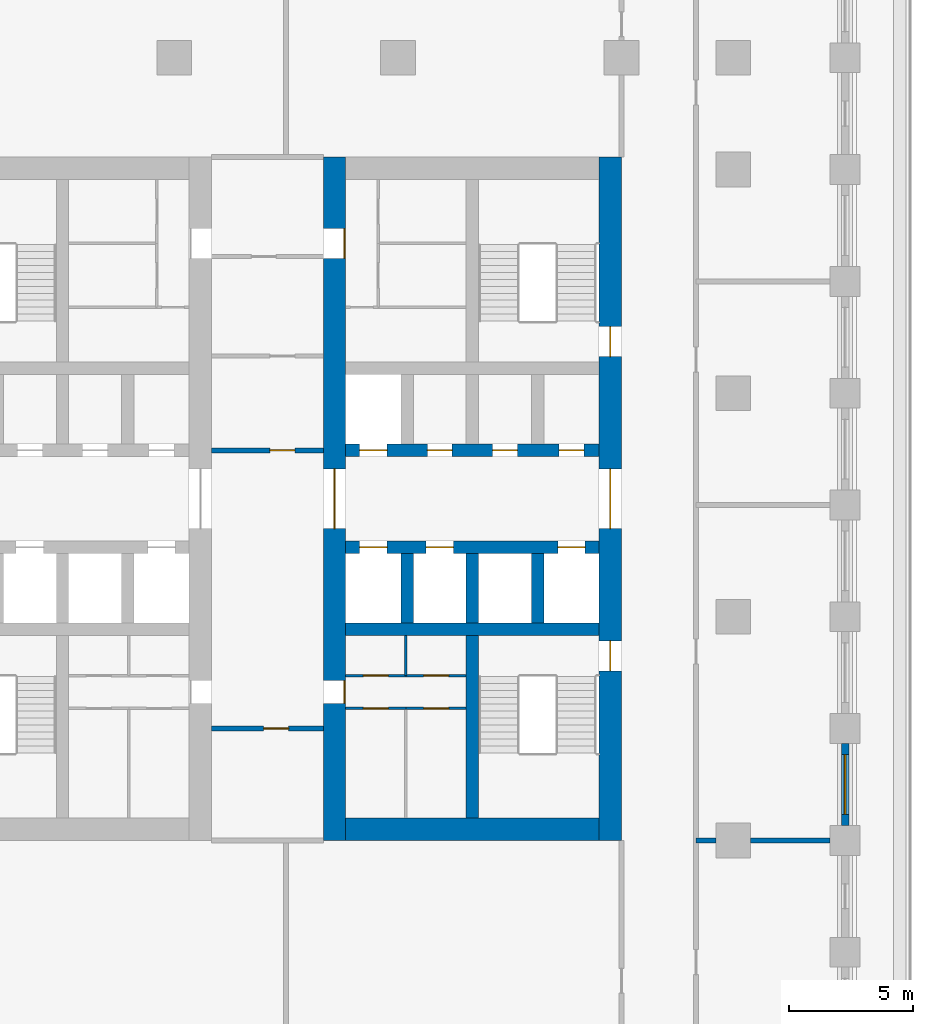
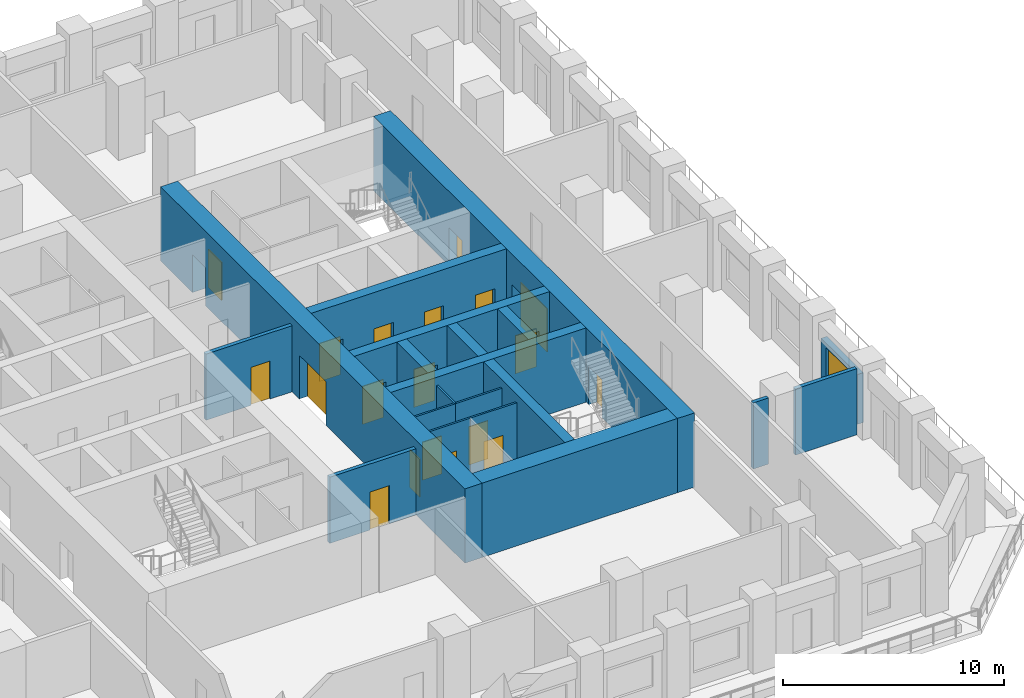
# One storey, part 5 of 16: 20 walls, 19 doors, 1 window, 20 openings.
"""IFC4 building model written with IfcOpenShell, lengths in metres."""

from ifc_helpers import new_model, si_unit, direction, frame, frame_2d, origin, place, context, subcontext, project, spatial, rectangle, extrude, material, layer, layer_set, type_object, element, fill, save


model = new_model("IFC4")

# Units and contexts
model_context = context("Model", 3, precision=1e-05, world=origin(), true_north=direction((0.0, 1.0)))
body_context = subcontext(model_context, "Body", "Model", "MODEL_VIEW")
ifc_project = project(units=[si_unit("LENGTHUNIT", "METRE"), si_unit("AREAUNIT", "SQUARE_METRE"), si_unit("VOLUMEUNIT", "CUBIC_METRE"), si_unit("PLANEANGLEUNIT", "RADIAN"), si_unit("MASSUNIT", "GRAM", prefix="KILO")], contexts=[model_context])

# Site, building, storey
site_placement = place(None, origin())
site = spatial("IfcSite", under=ifc_project, at=site_placement, CompositionType="ELEMENT")
building_placement = place(site_placement, origin())
building = spatial("IfcBuilding", under=site, at=building_placement, Name="Corbel Stack Research Tower", CompositionType="ELEMENT")
storey_placement = place(building_placement, frame((0.0, 0.0, 137.199951171875)))
storey = spatial("IfcBuildingStorey", under=building, at=storey_placement, Name="L31", CompositionType="ELEMENT", Elevation=137.199951171875)

# Wall
ifc_material_1 = material(Name="Concrete C70/85", Category="concrete")
ifc_layer_1 = layer(ifc_material_1, 0.5)
ifc_layer_set_1 = layer_set([ifc_layer_1], Name="Concrete C70/85")
wall_type_1 = type_object("IfcWallType", Name="CW-500-70", PredefinedType="SHEAR", material=ifc_layer_set_1)
wall_1_placement = place(storey_placement, frame((6.89990234375, -0.5, 0.0), z_axis=(0.0, 0.0, 1.0), x_axis=(1.0, 0.0, 0.0)))
element("IfcWall", 1, at=wall_1_placement, inside=storey, type_object=wall_type_1, Name="East core wall, south row back L31", PredefinedType="SHEAR", context=body_context, shape_type="SweptSolid", body=[
    extrude(rectangle(XDim=10.2001953125, YDim=0.5, at=frame_2d((5.10009765625, 0.0))), origin(), (0.0, 0.0, 1.0), 4.10009765625),
])

# Wall, openings, doors
wall_2_placement = place(storey_placement, frame((6.89990234375, 2.800048828125, 0.0), z_axis=(0.0, 0.0, 1.0), x_axis=(1.0, 0.0, 0.0)))
wall_2 = element("IfcWall", 2, at=wall_2_placement, inside=storey, type_object=wall_type_1, Name="East core wall, lobby south L31", PredefinedType="SHEAR", context=body_context, shape_type="SweptSolid", body=[
    extrude(rectangle(XDim=10.2001953125, YDim=0.5, at=frame_2d((5.10009765625, 0.0))), origin(), (0.0, 0.0, 1.0), 4.10009765625),
])
opening_1_placement = place(wall_2_placement, frame((0.5625, 0.0, 0.0)))
opening_1 = element("IfcOpeningElement", 3, at=opening_1_placement, cuts=wall_2, Name="Opening LD-FS2", PredefinedType="OPENING", context=body_context, shape_type="SweptSolid", body=[
    extrude(rectangle(XDim=1.10009765625, YDim=2.10009765625, at=frame_2d((0.550048828125, 1.050048828125))), frame((0.0, 0.260009765625, 0.0), z_axis=(0.0, -1.0, 0.0), x_axis=(1.0, 0.0, 0.0)), (0.0, 0.0, 1.0), 0.52001953125),
])
opening_2_placement = place(wall_2_placement, frame((3.237548828125, 0.0, 0.0)))
opening_2 = element("IfcOpeningElement", 4, at=opening_2_placement, cuts=wall_2, Name="Opening LD-GL2", PredefinedType="OPENING", context=body_context, shape_type="SweptSolid", body=[
    extrude(rectangle(XDim=1.10009765625, YDim=2.10009765625, at=frame_2d((0.550048828125, 1.050048828125))), frame((0.0, 0.260009765625, 0.0), z_axis=(0.0, -1.0, 0.0), x_axis=(1.0, 0.0, 0.0)), (0.0, 0.0, 1.0), 0.52001953125),
])
opening_3_placement = place(wall_2_placement, frame((8.53759765625, 0.0, 0.0)))
opening_3 = element("IfcOpeningElement", 5, at=opening_3_placement, cuts=wall_2, Name="Opening LD-LR3", PredefinedType="OPENING", context=body_context, shape_type="SweptSolid", body=[
    extrude(rectangle(XDim=1.10009765625, YDim=2.10009765625, at=frame_2d((0.550048828125, 1.050048828125))), frame((0.0, 0.260009765625, 0.0), z_axis=(0.0, -1.0, 0.0), x_axis=(1.0, 0.0, 0.0)), (0.0, 0.0, 1.0), 0.52001953125),
])
ifc_material_2 = material(Name="Stainless steel landing door", Category="steel")
door_type_1 = type_object("IfcDoorType", Name="Lift landing door 1100 x 2100", OperationType="DOUBLE_DOOR_SLIDING", PredefinedType="DOOR", material=ifc_material_2)
door_1_placement = place(opening_1_placement, origin())
door_1 = element("IfcDoor", 6, at=door_1_placement, inside=storey, type_object=door_type_1, Name="Landing door FS2", OperationType="DOUBLE_DOOR_SLIDING", OverallHeight=2.10009765625, OverallWidth=1.10009765625, PredefinedType="DOOR", context=body_context, shape_type="SweptSolid", body=[
    extrude(rectangle(XDim=1.10009765625, YDim=2.10009765625, at=frame_2d((0.550048828125, 1.050048828125))), frame((0.0, 0.02490234375, 0.0), z_axis=(0.0, -1.0, 0.0), x_axis=(1.0, 0.0, 0.0)), (0.0, 0.0, 1.0), 0.050048828125),
])
fill(opening_1, door_1)
door_2_placement = place(opening_2_placement, origin())
door_2 = element("IfcDoor", 7, at=door_2_placement, inside=storey, type_object=door_type_1, Name="Landing door GL2", OperationType="DOUBLE_DOOR_SLIDING", OverallHeight=2.10009765625, OverallWidth=1.10009765625, PredefinedType="DOOR", context=body_context, shape_type="SweptSolid", body=[
    extrude(rectangle(XDim=1.10009765625, YDim=2.10009765625, at=frame_2d((0.550048828125, 1.050048828125))), frame((0.0, 0.02490234375, 0.0), z_axis=(0.0, -1.0, 0.0), x_axis=(1.0, 0.0, 0.0)), (0.0, 0.0, 1.0), 0.050048828125),
])
fill(opening_2, door_2)
door_3_placement = place(opening_3_placement, origin())
door_3 = element("IfcDoor", 8, at=door_3_placement, inside=storey, type_object=door_type_1, Name="Landing door LR3", OperationType="DOUBLE_DOOR_SLIDING", OverallHeight=2.10009765625, OverallWidth=1.10009765625, PredefinedType="DOOR", context=body_context, shape_type="SweptSolid", body=[
    extrude(rectangle(XDim=1.10009765625, YDim=2.10009765625, at=frame_2d((0.550048828125, 1.050048828125))), frame((0.0, 0.02490234375, 0.0), z_axis=(0.0, -1.0, 0.0), x_axis=(1.0, 0.0, 0.0)), (0.0, 0.0, 1.0), 0.050048828125),
])
fill(opening_3, door_3)

wall_3_placement = place(storey_placement, frame((6.89990234375, 6.699951171875, 0.0), z_axis=(0.0, 0.0, 1.0), x_axis=(1.0, 0.0, 0.0)))
wall_3 = element("IfcWall", 9, at=wall_3_placement, inside=storey, type_object=wall_type_1, Name="East core wall, lobby north L31", PredefinedType="SHEAR", context=body_context, shape_type="SweptSolid", body=[
    extrude(rectangle(XDim=10.2001953125, YDim=0.5, at=frame_2d((5.10009765625, 0.0))), origin(), (0.0, 0.0, 1.0), 4.10009765625),
])
opening_4_placement = place(wall_3_placement, frame((0.5625, 0.0, 0.0)))
opening_4 = element("IfcOpeningElement", 10, at=opening_4_placement, cuts=wall_3, Name="Opening LD-LR4", PredefinedType="OPENING", context=body_context, shape_type="SweptSolid", body=[
    extrude(rectangle(XDim=1.10009765625, YDim=2.10009765625, at=frame_2d((0.550048828125, 1.050048828125))), frame((0.0, 0.260009765625, 0.0), z_axis=(0.0, -1.0, 0.0), x_axis=(1.0, 0.0, 0.0)), (0.0, 0.0, 1.0), 0.52001953125),
])
opening_5_placement = place(wall_3_placement, frame((3.28759765625, 0.0, 0.0)))
opening_5 = element("IfcOpeningElement", 11, at=opening_5_placement, cuts=wall_3, Name="Opening CR-E54-N2", PredefinedType="OPENING", context=body_context, shape_type="SweptSolid", body=[
    extrude(rectangle(XDim=1.0, YDim=2.10009765625, at=frame_2d((0.5, 1.050048828125))), frame((0.0, 0.260009765625, 0.0), z_axis=(0.0, -1.0, 0.0), x_axis=(1.0, 0.0, 0.0)), (0.0, 0.0, 1.0), 0.52001953125),
])
opening_6_placement = place(wall_3_placement, frame((5.91259765625, 0.0, 0.0)))
opening_6 = element("IfcOpeningElement", 12, at=opening_6_placement, cuts=wall_3, Name="Opening CR-E54-N3", PredefinedType="OPENING", context=body_context, shape_type="SweptSolid", body=[
    extrude(rectangle(XDim=1.0, YDim=2.10009765625, at=frame_2d((0.5, 1.050048828125))), frame((0.0, 0.260009765625, 0.0), z_axis=(0.0, -1.0, 0.0), x_axis=(1.0, 0.0, 0.0)), (0.0, 0.0, 1.0), 0.52001953125),
])
opening_7_placement = place(wall_3_placement, frame((8.58740234375, 0.0, 0.0)))
opening_7 = element("IfcOpeningElement", 13, at=opening_7_placement, cuts=wall_3, Name="Opening CR-E54-N4", PredefinedType="OPENING", context=body_context, shape_type="SweptSolid", body=[
    extrude(rectangle(XDim=1.0, YDim=2.10009765625, at=frame_2d((0.5, 1.050048828125))), frame((0.0, 0.260009765625, 0.0), z_axis=(0.0, -1.0, 0.0), x_axis=(1.0, 0.0, 0.0)), (0.0, 0.0, 1.0), 0.52001953125),
])
door_4_placement = place(opening_4_placement, origin())
door_4 = element("IfcDoor", 14, at=door_4_placement, inside=storey, type_object=door_type_1, Name="Landing door LR4", OperationType="DOUBLE_DOOR_SLIDING", OverallHeight=2.10009765625, OverallWidth=1.10009765625, PredefinedType="DOOR", context=body_context, shape_type="SweptSolid", body=[
    extrude(rectangle(XDim=1.10009765625, YDim=2.10009765625, at=frame_2d((0.550048828125, 1.050048828125))), frame((0.0, 0.02490234375, 0.0), z_axis=(0.0, -1.0, 0.0), x_axis=(1.0, 0.0, 0.0)), (0.0, 0.0, 1.0), 0.050048828125),
])
fill(opening_4, door_4)
ifc_material_3 = material(Name="Painted steel door", Category="steel")
door_type_2 = type_object("IfcDoorType", Name="Service door 1000 x 2100 FD60 left hand", OperationType="SINGLE_SWING_LEFT", PredefinedType="DOOR", material=ifc_material_3)
door_5_placement = place(opening_6_placement, origin())
door_5 = element("IfcDoor", 15, at=door_5_placement, inside=storey, type_object=door_type_2, Name="Copy and supply store door E core", OperationType="SINGLE_SWING_LEFT", OverallHeight=2.10009765625, OverallWidth=1.0, PredefinedType="DOOR", context=body_context, shape_type="SweptSolid", body=[
    extrude(rectangle(XDim=1.0, YDim=2.10009765625, at=frame_2d((0.5, 1.050048828125))), frame((0.0, 0.02490234375, 0.0), z_axis=(0.0, -1.0, 0.0), x_axis=(1.0, 0.0, 0.0)), (0.0, 0.0, 1.0), 0.050048828125),
])
fill(opening_6, door_5)
ifc_material_4 = material(Name="Painted steel door", Category="steel")
door_type_3 = type_object("IfcDoorType", Name="Service door 1000 x 2100 FD60 right hand", OperationType="SINGLE_SWING_RIGHT", PredefinedType="DOOR", material=ifc_material_4)
door_6_placement = place(opening_5_placement, origin())
door_6 = element("IfcDoor", 16, at=door_6_placement, inside=storey, type_object=door_type_3, Name="Telecom room door E core", OperationType="SINGLE_SWING_RIGHT", OverallHeight=2.10009765625, OverallWidth=1.0, PredefinedType="DOOR", context=body_context, shape_type="SweptSolid", body=[
    extrude(rectangle(XDim=1.0, YDim=2.10009765625, at=frame_2d((0.5, 1.050048828125))), frame((0.0, 0.02490234375, 0.0), z_axis=(0.0, -1.0, 0.0), x_axis=(1.0, 0.0, 0.0)), (0.0, 0.0, 1.0), 0.050048828125),
])
fill(opening_5, door_6)
door_7_placement = place(opening_7_placement, origin())
door_7 = element("IfcDoor", 17, at=door_7_placement, inside=storey, type_object=door_type_3, Name="Records store door E core", OperationType="SINGLE_SWING_RIGHT", OverallHeight=2.10009765625, OverallWidth=1.0, PredefinedType="DOOR", context=body_context, shape_type="SweptSolid", body=[
    extrude(rectangle(XDim=1.0, YDim=2.10009765625, at=frame_2d((0.5, 1.050048828125))), frame((0.0, 0.02490234375, 0.0), z_axis=(0.0, -1.0, 0.0), x_axis=(1.0, 0.0, 0.0)), (0.0, 0.0, 1.0), 0.050048828125),
])
fill(opening_7, door_7)

# Walls
for number, where, z_axis, x_axis, name in (
    (18, (9.375, -0.25, 0.0), (0.0, 0.0, 1.0), (0.0, 1.0, 0.0), "East core wall, south shaft 1 L31"),
    (19, (12.0, -0.25, 0.0), (0.0, 0.0, 1.0), (0.0, 1.0, 0.0), "East core wall, south shaft 2 L31"),
    (20, (14.625, -0.25, 0.0), (0.0, 0.0, 1.0), (0.0, 1.0, 0.0), "East core wall, south shaft 3 L31"),
):
    element("IfcWall", number, at=place(storey_placement, frame(where, z_axis=z_axis, x_axis=x_axis)), inside=storey, type_object=wall_type_1, Name=name, PredefinedType="SHEAR", context=body_context, shape_type="SweptSolid", body=[
        extrude(rectangle(XDim=2.800048828125, YDim=0.5, at=frame_2d((1.39990234375, 0.0))), origin(), (0.0, 0.0, 1.0), 4.10009765625),
    ])
wall_4_placement = place(storey_placement, frame((12.0, -8.10009765625, 0.0), z_axis=(0.0, 0.0, 1.0), x_axis=(0.0, 1.0, 0.0)))
element("IfcWall", 21, at=wall_4_placement, inside=storey, type_object=wall_type_1, Name="East core wall, south stair and WC L31", PredefinedType="SHEAR", context=body_context, shape_type="SweptSolid", body=[
    extrude(rectangle(XDim=7.35009765625, YDim=0.5, at=frame_2d((3.675048828125, 0.0))), origin(), (0.0, 0.0, 1.0), 4.10009765625),
])

# Wall, openings, doors
ifc_material_5 = material(Name="Concrete C70/85", Category="concrete")
ifc_layer_2 = layer(ifc_material_5, 0.89990234375)
ifc_layer_set_2 = layer_set([ifc_layer_2], Name="Concrete C70/85")
wall_type_2 = type_object("IfcWallType", Name="CW-900-70", PredefinedType="SHEAR", material=ifc_layer_set_2)
wall_5_placement = place(storey_placement, frame((6.449951171875, -9.0, 0.0), z_axis=(0.0, 0.0, 1.0), x_axis=(0.0, 1.0, 0.0)))
wall_5 = element("IfcWall", 22, at=wall_5_placement, inside=storey, type_object=wall_type_2, Name="East core wall, west face L31", PredefinedType="SHEAR", context=body_context, shape_type="SweptSolid", body=[
    extrude(rectangle(XDim=27.5, YDim=0.89990234375, at=frame_2d((13.75, 0.0))), origin(), (0.0, 0.0, 1.0), 4.10009765625),
])
opening_8_placement = place(wall_5_placement, frame((12.550048828125, 0.0, 0.0)))
opening_8 = element("IfcOpeningElement", 23, at=opening_8_placement, cuts=wall_5, Name="Opening CD-E-W", PredefinedType="OPENING", context=body_context, shape_type="SweptSolid", body=[
    extrude(rectangle(XDim=2.39990234375, YDim=2.39990234375, at=frame_2d((1.199951171875, 1.199951171875))), frame((0.0, 0.4599609375, 0.0), z_axis=(0.0, -1.0, 0.0), x_axis=(1.0, 0.0, 0.0)), (0.0, 0.0, 1.0), 0.919921875),
])
opening_9_placement = place(wall_5_placement, frame((5.510009765625, 0.0, 0.0)))
opening_9 = element("IfcOpeningElement", 24, at=opening_9_placement, cuts=wall_5, Name="Opening CR-E54-W1-923", PredefinedType="OPENING", context=body_context, shape_type="SweptSolid", body=[
    extrude(rectangle(XDim=0.923095703125, YDim=2.10009765625, at=frame_2d((0.46142578125, 1.050048828125))), frame((0.0, 0.4599609375, 0.0), z_axis=(0.0, -1.0, 0.0), x_axis=(1.0, 0.0, 0.0)), (0.0, 0.0, 1.0), 0.919921875),
])
opening_10_placement = place(wall_5_placement, frame((23.427490234375, 0.0, 0.0)))
opening_10 = element("IfcOpeningElement", 25, at=opening_10_placement, cuts=wall_5, Name="Opening CR-E54-R2-1200", PredefinedType="OPENING", context=body_context, shape_type="SweptSolid", body=[
    extrude(rectangle(XDim=1.199951171875, YDim=2.10009765625, at=frame_2d((0.60009765625, 1.050048828125))), frame((0.0, 0.4599609375, 0.0), z_axis=(0.0, -1.0, 0.0), x_axis=(1.0, 0.0, 0.0)), (0.0, 0.0, 1.0), 0.919921875),
])
ifc_material_6 = material(Name="Painted steel fire door", Category="steel")
door_type_4 = type_object("IfcDoorType", Name="Lobby door pair 2400 x 2400 FD30S", OperationType="DOUBLE_DOOR_DOUBLE_SWING", PredefinedType="DOOR", material=ifc_material_6)
door_8_placement = place(opening_8_placement, origin())
door_8 = element("IfcDoor", 26, at=door_8_placement, inside=storey, type_object=door_type_4, Name="Lift lobby door E core W", OperationType="DOUBLE_DOOR_DOUBLE_SWING", OverallHeight=2.39990234375, OverallWidth=2.39990234375, PredefinedType="DOOR", context=body_context, shape_type="SweptSolid", body=[
    extrude(rectangle(XDim=2.39990234375, YDim=2.39990234375, at=frame_2d((1.199951171875, 1.199951171875))), frame((0.0, 0.02490234375, 0.0), z_axis=(0.0, -1.0, 0.0), x_axis=(1.0, 0.0, 0.0)), (0.0, 0.0, 1.0), 0.050048828125),
])
fill(opening_8, door_8)
ifc_material_7 = material(Name="Painted steel door", Category="steel")
door_type_5 = type_object("IfcDoorType", Name="Service door 1200 x 2100 FD30 left hand", OperationType="SINGLE_SWING_LEFT", PredefinedType="DOOR", material=ifc_material_7)
door_9_placement = place(opening_10_placement, origin())
door_9 = element("IfcDoor", 27, at=door_9_placement, inside=storey, type_object=door_type_5, Name="Service passage door E core", OperationType="SINGLE_SWING_LEFT", OverallHeight=2.10009765625, OverallWidth=1.199951171875, PredefinedType="DOOR", context=body_context, shape_type="SweptSolid", body=[
    extrude(rectangle(XDim=1.199951171875, YDim=2.10009765625, at=frame_2d((0.60009765625, 1.050048828125))), frame((0.0, -0.375, 0.0), z_axis=(0.0, -1.0, 0.0), x_axis=(1.0, 0.0, 0.0)), (0.0, 0.0, 1.0), 0.050048828125),
])
fill(opening_10, door_9)
ifc_material_8 = material(Name="Painted timber door", Category="wood")
door_type_6 = type_object("IfcDoorType", Name="WC door 923 x 2100 right hand", OperationType="SINGLE_SWING_RIGHT", PredefinedType="DOOR", material=ifc_material_8)
door_10_placement = place(opening_9_placement, origin())
door_10 = element("IfcDoor", 28, at=door_10_placement, inside=storey, type_object=door_type_6, Name="WC lobby door E core", OperationType="SINGLE_SWING_RIGHT", OverallHeight=2.10009765625, OverallWidth=0.923095703125, PredefinedType="DOOR", context=body_context, shape_type="SweptSolid", body=[
    extrude(rectangle(XDim=0.923095703125, YDim=2.10009765625, at=frame_2d((0.46142578125, 1.050048828125))), frame((0.0, -0.375, 0.0), z_axis=(0.0, -1.0, 0.0), x_axis=(1.0, 0.0, 0.0)), (0.0, 0.0, 1.0), 0.050048828125),
])
fill(opening_9, door_10)

wall_6_placement = place(storey_placement, frame((17.550048828125, -9.0, 0.0), z_axis=(0.0, 0.0, 1.0), x_axis=(0.0, 1.0, 0.0)))
wall_6 = element("IfcWall", 29, at=wall_6_placement, inside=storey, type_object=wall_type_2, Name="East core wall, east face L31", PredefinedType="SHEAR", context=body_context, shape_type="SweptSolid", body=[
    extrude(rectangle(XDim=27.5, YDim=0.89990234375, at=frame_2d((13.75, 0.0))), origin(), (0.0, 0.0, 1.0), 4.10009765625),
])
opening_11_placement = place(wall_6_placement, frame((12.550048828125, 0.0, 0.0)))
opening_11 = element("IfcOpeningElement", 30, at=opening_11_placement, cuts=wall_6, Name="Opening CD-E-E", PredefinedType="OPENING", context=body_context, shape_type="SweptSolid", body=[
    extrude(rectangle(XDim=2.39990234375, YDim=2.39990234375, at=frame_2d((1.199951171875, 1.199951171875))), frame((0.0, 0.4599609375, 0.0), z_axis=(0.0, -1.0, 0.0), x_axis=(1.0, 0.0, 0.0)), (0.0, 0.0, 1.0), 0.919921875),
])
opening_12_placement = place(wall_6_placement, frame((6.824951171875, 0.0, 0.0)))
opening_12 = element("IfcOpeningElement", 31, at=opening_12_placement, cuts=wall_6, Name="Opening SD-ST-E1", PredefinedType="OPENING", context=body_context, shape_type="SweptSolid", body=[
    extrude(rectangle(XDim=1.199951171875, YDim=2.10009765625, at=frame_2d((0.60009765625, 1.050048828125))), frame((0.0, 0.4599609375, 0.0), z_axis=(0.0, -1.0, 0.0), x_axis=(1.0, 0.0, 0.0)), (0.0, 0.0, 1.0), 0.919921875),
])
opening_13_placement = place(wall_6_placement, frame((19.47509765625, 0.0, 0.0)))
opening_13 = element("IfcOpeningElement", 32, at=opening_13_placement, cuts=wall_6, Name="Opening SD-ST-E2", PredefinedType="OPENING", context=body_context, shape_type="SweptSolid", body=[
    extrude(rectangle(XDim=1.199951171875, YDim=2.10009765625, at=frame_2d((0.60009765625, 1.050048828125))), frame((0.0, 0.4599609375, 0.0), z_axis=(0.0, -1.0, 0.0), x_axis=(1.0, 0.0, 0.0)), (0.0, 0.0, 1.0), 0.919921875),
])
door_11_placement = place(opening_11_placement, origin())
door_11 = element("IfcDoor", 33, at=door_11_placement, inside=storey, type_object=door_type_4, Name="Lift lobby door E core E", OperationType="DOUBLE_DOOR_DOUBLE_SWING", OverallHeight=2.39990234375, OverallWidth=2.39990234375, PredefinedType="DOOR", context=body_context, shape_type="SweptSolid", body=[
    extrude(rectangle(XDim=2.39990234375, YDim=2.39990234375, at=frame_2d((1.199951171875, 1.199951171875))), frame((0.0, 0.02490234375, 0.0), z_axis=(0.0, -1.0, 0.0), x_axis=(1.0, 0.0, 0.0)), (0.0, 0.0, 1.0), 0.050048828125),
])
fill(opening_11, door_11)
ifc_material_9 = material(Name="Painted steel fire door", Category="steel")
door_type_7 = type_object("IfcDoorType", Name="Stair door 1200 x 2100 FD90 right hand", OperationType="SINGLE_SWING_RIGHT", PredefinedType="DOOR", material=ifc_material_9)
door_12_placement = place(opening_12_placement, frame((1.199951171875, 0.0, 0.0), z_axis=(0.0, 0.0, 1.0), x_axis=(-1.0, 0.0, 0.0)))
door_12 = element("IfcDoor", 34, at=door_12_placement, inside=storey, type_object=door_type_7, Name="Stair door ST-E1", OperationType="SINGLE_SWING_LEFT", OverallHeight=2.10009765625, OverallWidth=1.199951171875, PredefinedType="DOOR", context=body_context, shape_type="SweptSolid", body=[
    extrude(rectangle(XDim=1.199951171875, YDim=2.10009765625, at=frame_2d((0.60009765625, 1.050048828125))), frame((0.0, 0.02490234375, 0.0), z_axis=(0.0, -1.0, 0.0), x_axis=(1.0, 0.0, 0.0)), (0.0, 0.0, 1.0), 0.050048828125),
])
fill(opening_12, door_12)
door_13_placement = place(opening_13_placement, frame((1.199951171875, 0.0, 0.0), z_axis=(0.0, 0.0, 1.0), x_axis=(-1.0, 0.0, 0.0)))
door_13 = element("IfcDoor", 35, at=door_13_placement, inside=storey, type_object=door_type_7, Name="Stair door ST-E2", OperationType="SINGLE_SWING_LEFT", OverallHeight=2.10009765625, OverallWidth=1.199951171875, PredefinedType="DOOR", context=body_context, shape_type="SweptSolid", body=[
    extrude(rectangle(XDim=1.199951171875, YDim=2.10009765625, at=frame_2d((0.60009765625, 1.050048828125))), frame((0.0, 0.02490234375, 0.0), z_axis=(0.0, -1.0, 0.0), x_axis=(1.0, 0.0, 0.0)), (0.0, 0.0, 1.0), 0.050048828125),
])
fill(opening_13, door_13)

# Wall
wall_7_placement = place(storey_placement, frame((6.89990234375, -8.550048828125, 0.0), z_axis=(0.0, 0.0, 1.0), x_axis=(1.0, 0.0, 0.0)))
element("IfcWall", 36, at=wall_7_placement, inside=storey, type_object=wall_type_2, Name="East core wall, south end L31", PredefinedType="SHEAR", context=body_context, shape_type="SweptSolid", body=[
    extrude(rectangle(XDim=10.2001953125, YDim=0.89990234375, at=frame_2d((5.10009765625, 0.0))), origin(), (0.0, 0.0, 1.0), 4.10009765625),
])

# Wall, opening, door
ifc_material_10 = material(Name="Gypsum board")
ifc_layer_3 = layer(ifc_material_10, 0.10009765625)
ifc_layer_set_3 = layer_set([ifc_layer_3], Name="Gypsum board")
wall_type_3 = type_object("IfcWallType", Name="Core partition 100", PredefinedType="PARTITIONING", material=ifc_layer_set_3)
wall_8_placement = place(storey_placement, frame((6.89990234375, -3.68994140625, 0.0), z_axis=(0.0, 0.0, 1.0), x_axis=(1.0, 0.0, 0.0)))
wall_8 = element("IfcWall", 37, at=wall_8_placement, inside=storey, type_object=wall_type_3, Name="Core partition E", PredefinedType="PARTITIONING", context=body_context, shape_type="SweptSolid", body=[
    extrude(rectangle(XDim=2.425048828125, YDim=0.10009765625, at=frame_2d((1.21240234375, 0.0))), origin(), (0.0, 0.0, 1.0), 3.650146484375),
])
opening_14_placement = place(wall_8_placement, frame((0.71240234375, 0.0, 0.0)))
opening_14 = element("IfcOpeningElement", 38, at=opening_14_placement, cuts=wall_8, Name="Opening CR-E54-W2-1000", PredefinedType="OPENING", context=body_context, shape_type="SweptSolid", body=[
    extrude(rectangle(XDim=1.0, YDim=2.10009765625, at=frame_2d((0.5, 1.050048828125))), frame((0.0, 0.06005859375, 0.0), z_axis=(0.0, -1.0, 0.0), x_axis=(1.0, 0.0, 0.0)), (0.0, 0.0, 1.0), 0.1201171875),
])
ifc_material_11 = material(Name="Painted timber door", Category="wood")
door_type_8 = type_object("IfcDoorType", Name="WC door 1000 x 2100 left hand", OperationType="SINGLE_SWING_LEFT", PredefinedType="DOOR", material=ifc_material_11)
door_14_placement = place(opening_14_placement, origin())
door_14 = element("IfcDoor", 39, at=door_14_placement, inside=storey, type_object=door_type_8, Name="Women's WC door E core", OperationType="SINGLE_SWING_LEFT", OverallHeight=2.10009765625, OverallWidth=1.0, PredefinedType="DOOR", context=body_context, shape_type="SweptSolid", body=[
    extrude(rectangle(XDim=1.0, YDim=2.10009765625, at=frame_2d((0.5, 1.050048828125))), frame((0.0, 0.02490234375, 0.0), z_axis=(0.0, -1.0, 0.0), x_axis=(1.0, 0.0, 0.0)), (0.0, 0.0, 1.0), 0.050048828125),
])
fill(opening_14, door_14)

wall_9_placement = place(storey_placement, frame((9.324951171875, -3.68994140625, 0.0), z_axis=(0.0, 0.0, 1.0), x_axis=(1.0, 0.0, 0.0)))
wall_9 = element("IfcWall", 40, at=wall_9_placement, inside=storey, type_object=wall_type_3, Name="Core partition E", PredefinedType="PARTITIONING", context=body_context, shape_type="SweptSolid", body=[
    extrude(rectangle(XDim=2.425048828125, YDim=0.10009765625, at=frame_2d((1.21240234375, 0.0))), origin(), (0.0, 0.0, 1.0), 3.650146484375),
])
opening_15_placement = place(wall_9_placement, frame((0.71240234375, 0.0, 0.0)))
opening_15 = element("IfcOpeningElement", 41, at=opening_15_placement, cuts=wall_9, Name="Opening CR-E54-W3-1000", PredefinedType="OPENING", context=body_context, shape_type="SweptSolid", body=[
    extrude(rectangle(XDim=1.0, YDim=2.10009765625, at=frame_2d((0.5, 1.050048828125))), frame((0.0, 0.06005859375, 0.0), z_axis=(0.0, -1.0, 0.0), x_axis=(1.0, 0.0, 0.0)), (0.0, 0.0, 1.0), 0.1201171875),
])
ifc_material_12 = material(Name="Painted timber door", Category="wood")
door_type_9 = type_object("IfcDoorType", Name="WC door 1000 x 2100 right hand", OperationType="SINGLE_SWING_RIGHT", PredefinedType="DOOR", material=ifc_material_12)
door_15_placement = place(opening_15_placement, origin())
door_15 = element("IfcDoor", 42, at=door_15_placement, inside=storey, type_object=door_type_9, Name="Men's WC door E core", OperationType="SINGLE_SWING_RIGHT", OverallHeight=2.10009765625, OverallWidth=1.0, PredefinedType="DOOR", context=body_context, shape_type="SweptSolid", body=[
    extrude(rectangle(XDim=1.0, YDim=2.10009765625, at=frame_2d((0.5, 1.050048828125))), frame((0.0, 0.02490234375, 0.0), z_axis=(0.0, -1.0, 0.0), x_axis=(1.0, 0.0, 0.0)), (0.0, 0.0, 1.0), 0.050048828125),
])
fill(opening_15, door_15)

wall_10_placement = place(storey_placement, frame((6.89990234375, -2.366943359375, 0.0), z_axis=(0.0, 0.0, 1.0), x_axis=(1.0, 0.0, 0.0)))
wall_10 = element("IfcWall", 43, at=wall_10_placement, inside=storey, type_object=wall_type_3, Name="Core partition E", PredefinedType="PARTITIONING", context=body_context, shape_type="SweptSolid", body=[
    extrude(rectangle(XDim=2.425048828125, YDim=0.10009765625, at=frame_2d((1.21240234375, 0.0))), origin(), (0.0, 0.0, 1.0), 3.650146484375),
])
opening_16_placement = place(wall_10_placement, frame((0.71240234375, 0.0, 0.0)))
opening_16 = element("IfcOpeningElement", 44, at=opening_16_placement, cuts=wall_10, Name="Opening CR-E54-W4-1000", PredefinedType="OPENING", context=body_context, shape_type="SweptSolid", body=[
    extrude(rectangle(XDim=1.0, YDim=2.10009765625, at=frame_2d((0.5, 1.050048828125))), frame((0.0, 0.06005859375, 0.0), z_axis=(0.0, -1.0, 0.0), x_axis=(1.0, 0.0, 0.0)), (0.0, 0.0, 1.0), 0.1201171875),
])
door_16_placement = place(opening_16_placement, origin())
door_16 = element("IfcDoor", 45, at=door_16_placement, inside=storey, type_object=door_type_8, Name="Accessible WC door E core", OperationType="SINGLE_SWING_LEFT", OverallHeight=2.10009765625, OverallWidth=1.0, PredefinedType="DOOR", context=body_context, shape_type="SweptSolid", body=[
    extrude(rectangle(XDim=1.0, YDim=2.10009765625, at=frame_2d((0.5, 1.050048828125))), frame((0.0, 0.02490234375, 0.0), z_axis=(0.0, -1.0, 0.0), x_axis=(1.0, 0.0, 0.0)), (0.0, 0.0, 1.0), 0.050048828125),
])
fill(opening_16, door_16)

wall_11_placement = place(storey_placement, frame((9.324951171875, -2.366943359375, 0.0), z_axis=(0.0, 0.0, 1.0), x_axis=(1.0, 0.0, 0.0)))
wall_11 = element("IfcWall", 46, at=wall_11_placement, inside=storey, type_object=wall_type_3, Name="Core partition E", PredefinedType="PARTITIONING", context=body_context, shape_type="SweptSolid", body=[
    extrude(rectangle(XDim=2.425048828125, YDim=0.10009765625, at=frame_2d((1.21240234375, 0.0))), origin(), (0.0, 0.0, 1.0), 3.650146484375),
])
opening_17_placement = place(wall_11_placement, frame((0.71240234375, 0.0, 0.0)))
opening_17 = element("IfcOpeningElement", 47, at=opening_17_placement, cuts=wall_11, Name="Opening CR-E54-W5-1000", PredefinedType="OPENING", context=body_context, shape_type="SweptSolid", body=[
    extrude(rectangle(XDim=1.0, YDim=2.10009765625, at=frame_2d((0.5, 1.050048828125))), frame((0.0, 0.06005859375, 0.0), z_axis=(0.0, -1.0, 0.0), x_axis=(1.0, 0.0, 0.0)), (0.0, 0.0, 1.0), 0.1201171875),
])
door_17_placement = place(opening_17_placement, origin())
door_17 = element("IfcDoor", 48, at=door_17_placement, inside=storey, type_object=door_type_9, Name="Shower and changing room door E core", OperationType="SINGLE_SWING_RIGHT", OverallHeight=2.10009765625, OverallWidth=1.0, PredefinedType="DOOR", context=body_context, shape_type="SweptSolid", body=[
    extrude(rectangle(XDim=1.0, YDim=2.10009765625, at=frame_2d((0.5, 1.050048828125))), frame((0.0, 0.02490234375, 0.0), z_axis=(0.0, -1.0, 0.0), x_axis=(1.0, 0.0, 0.0)), (0.0, 0.0, 1.0), 0.050048828125),
])
fill(opening_17, door_17)

# Walls
wall_12_placement = place(storey_placement, frame((9.324951171875, -2.366943359375, 0.0), z_axis=(0.0, 0.0, 1.0), x_axis=(0.0, 1.0, 0.0)))
element("IfcWall", 49, at=wall_12_placement, inside=storey, type_object=wall_type_3, Name="Core partition E", PredefinedType="PARTITIONING", context=body_context, shape_type="SweptSolid", body=[
    extrude(rectangle(XDim=1.616943359375, YDim=0.10009765625, at=frame_2d((0.80859375, 0.0))), origin(), (0.0, 0.0, 1.0), 3.650146484375),
])
ifc_material_13 = material(Name="Fire-rated gypsum board partition on steel studs", Category="steel")
ifc_layer_4 = layer(ifc_material_13, 0.199951171875)
ifc_layer_set_4 = layer_set([ifc_layer_4], Name="Fire-rated gypsum board partition on steel studs")
wall_type_4 = type_object("IfcWallType", Name="Fire-rated partition 200 EI 60", PredefinedType="PARTITIONING", material=ifc_layer_set_4)
wall_13_placement = place(storey_placement, frame((21.0, -9.0, 0.0), z_axis=(0.0, 0.0, 1.0), x_axis=(1.0, 0.0, 0.0)))
element("IfcWall", 50, at=wall_13_placement, inside=storey, type_object=wall_type_4, Name="Partition L31-020", PredefinedType="PARTITIONING", context=body_context, shape_type="SweptSolid", body=[
    extrude(rectangle(XDim=0.800048828125, YDim=0.199951171875, at=frame_2d((0.39990234375, 0.0))), origin(), (0.0, 0.0, 1.0), 3.650146484375),
])
wall_14_placement = place(storey_placement, frame((23.199951171875, -9.0, 0.0), z_axis=(0.0, 0.0, 1.0), x_axis=(1.0, 0.0, 0.0)))
element("IfcWall", 51, at=wall_14_placement, inside=storey, type_object=wall_type_4, Name="Partition L31-021", PredefinedType="PARTITIONING", context=body_context, shape_type="SweptSolid", body=[
    extrude(rectangle(XDim=3.199951171875, YDim=0.199951171875, at=frame_2d((1.60009765625, 0.0))), origin(), (0.0, 0.0, 1.0), 3.650146484375),
])

# Wall, opening, door
wall_15_placement = place(storey_placement, frame((6.0, -4.5, 0.0), z_axis=(0.0, 0.0, 1.0), x_axis=(-1.0, 0.0, 0.0)))
wall_15 = element("IfcWall", 52, at=wall_15_placement, inside=storey, type_object=wall_type_4, Name="Partition L31-022", PredefinedType="PARTITIONING", context=body_context, shape_type="SweptSolid", body=[
    extrude(rectangle(XDim=4.5, YDim=0.199951171875, at=frame_2d((2.25, 0.0))), origin(), (0.0, 0.0, 1.0), 3.650146484375),
])
opening_18_placement = place(wall_15_placement, frame((1.39990234375, 0.0, 0.0)))
opening_18 = element("IfcOpeningElement", 53, at=opening_18_placement, cuts=wall_15, Name="Opening B4V2-015", PredefinedType="OPENING", context=body_context, shape_type="SweptSolid", body=[
    extrude(rectangle(XDim=1.0, YDim=2.10009765625, at=frame_2d((0.5, 1.050048828125))), frame((0.0, 0.10986328125, 0.0), z_axis=(0.0, -1.0, 0.0), x_axis=(1.0, 0.0, 0.0)), (0.0, 0.0, 1.0), 0.219970703125),
])
ifc_material_14 = material(Name="Painted steel fire door", Category="steel")
door_type_10 = type_object("IfcDoorType", Name="Fire door FD30S 1000 x 2100", OperationType="NOTDEFINED", PredefinedType="DOOR", material=ifc_material_14)
door_18_placement = place(opening_18_placement, origin())
door_18 = element("IfcDoor", 54, at=door_18_placement, inside=storey, type_object=door_type_10, Name="Door B4V2-015", OperationType="SINGLE_SWING_LEFT", OverallHeight=2.10009765625, OverallWidth=1.0, PredefinedType="DOOR", context=body_context, shape_type="SweptSolid", body=[
    extrude(rectangle(XDim=1.0, YDim=2.10009765625, at=frame_2d((0.5, 1.050048828125))), frame((0.0, 0.02490234375, 0.0), z_axis=(0.0, -1.0, 0.0), x_axis=(1.0, 0.0, 0.0)), (0.0, 0.0, 1.0), 0.050048828125),
])
fill(opening_18, door_18)

wall_16_placement = place(storey_placement, frame((1.5, 6.699951171875, 0.0), z_axis=(0.0, 0.0, 1.0), x_axis=(1.0, 0.0, 0.0)))
wall_16 = element("IfcWall", 55, at=wall_16_placement, inside=storey, type_object=wall_type_4, Name="Partition L31-025", PredefinedType="PARTITIONING", context=body_context, shape_type="SweptSolid", body=[
    extrude(rectangle(XDim=4.5, YDim=0.199951171875, at=frame_2d((2.25, 0.0))), origin(), (0.0, 0.0, 1.0), 3.650146484375),
])
opening_19_placement = place(wall_16_placement, frame((2.35009765625, 0.0, 0.0)))
opening_19 = element("IfcOpeningElement", 56, at=opening_19_placement, cuts=wall_16, Name="Opening B4V2-016", PredefinedType="OPENING", context=body_context, shape_type="SweptSolid", body=[
    extrude(rectangle(XDim=1.0, YDim=2.10009765625, at=frame_2d((0.5, 1.050048828125))), frame((0.0, 0.10986328125, 0.0), z_axis=(0.0, -1.0, 0.0), x_axis=(1.0, 0.0, 0.0)), (0.0, 0.0, 1.0), 0.219970703125),
])
door_19_placement = place(opening_19_placement, origin())
door_19 = element("IfcDoor", 57, at=door_19_placement, inside=storey, type_object=door_type_10, Name="Door B4V2-016", OperationType="SINGLE_SWING_RIGHT", OverallHeight=2.10009765625, OverallWidth=1.0, PredefinedType="DOOR", context=body_context, shape_type="SweptSolid", body=[
    extrude(rectangle(XDim=1.0, YDim=2.10009765625, at=frame_2d((0.5, 1.050048828125))), frame((0.0, 0.02490234375, 0.0), z_axis=(0.0, -1.0, 0.0), x_axis=(1.0, 0.0, 0.0)), (0.0, 0.0, 1.0), 0.050048828125),
])
fill(opening_19, door_19)

# Wall, opening, window
ifc_material_15 = material(Name="Concrete C45/55", Category="concrete")
ifc_layer_5 = layer(ifc_material_15, 0.300048828125)
ifc_layer_set_5 = layer_set([ifc_layer_5], Name="Concrete C45/55")
wall_type_5 = type_object("IfcWallType", Name="Terracotta-faced concrete wall 300", PredefinedType="SOLIDWALL", material=ifc_layer_set_5)
wall_17_placement = place(storey_placement, frame((27.0, -5.10009765625, 0.0), z_axis=(0.0, 0.0, 1.0), x_axis=(0.0, -1.0, 0.0)))
wall_17 = element("IfcWall", 58, at=wall_17_placement, inside=storey, type_object=wall_type_5, Name="Facade wall L31 E03", PredefinedType="SOLIDWALL", context=body_context, shape_type="SweptSolid", body=[
    extrude(rectangle(XDim=3.2998046875, YDim=0.300048828125, at=frame_2d((1.64990234375, 0.0))), origin(), (0.0, 0.0, 1.0), 2.75),
])
opening_20_placement = place(wall_17_placement, frame((0.449951171875, 0.0, 0.800048828125)))
opening_20 = element("IfcOpeningElement", 59, at=opening_20_placement, cuts=wall_17, Name="Opening W1", PredefinedType="OPENING", context=body_context, shape_type="SweptSolid", body=[
    extrude(rectangle(XDim=2.39990234375, YDim=1.699951171875, at=frame_2d((1.199951171875, 0.85009765625))), frame((0.0, 0.159912109375, 0.0), z_axis=(0.0, -1.0, 0.0), x_axis=(1.0, 0.0, 0.0)), (0.0, 0.0, 1.0), 0.320068359375),
])
ifc_material_16 = material(Name="Aluminium frame, clear double glazing", Category="aluminium")
window_type = type_object("IfcWindowType", Name="Window W1 2400 x 1700", PartitioningType="SINGLE_PANEL", PredefinedType="WINDOW", material=ifc_material_16)
window_placement = place(opening_20_placement, origin())
window = element("IfcWindow", 60, at=window_placement, inside=storey, type_object=window_type, Name="Window W1 L31 E03", OverallHeight=1.699951171875, OverallWidth=2.39990234375, PartitioningType="SINGLE_PANEL", PredefinedType="WINDOW", context=body_context, shape_type="SweptSolid", body=[
    extrude(rectangle(XDim=2.39990234375, YDim=1.699951171875, at=frame_2d((1.199951171875, 0.85009765625))), frame((0.0, 0.030029296875, 0.0), z_axis=(0.0, -1.0, 0.0), x_axis=(1.0, 0.0, 0.0)), (0.0, 0.0, 1.0), 0.06005859375),
])
fill(opening_20, window)

save(model, "model.ifc")
